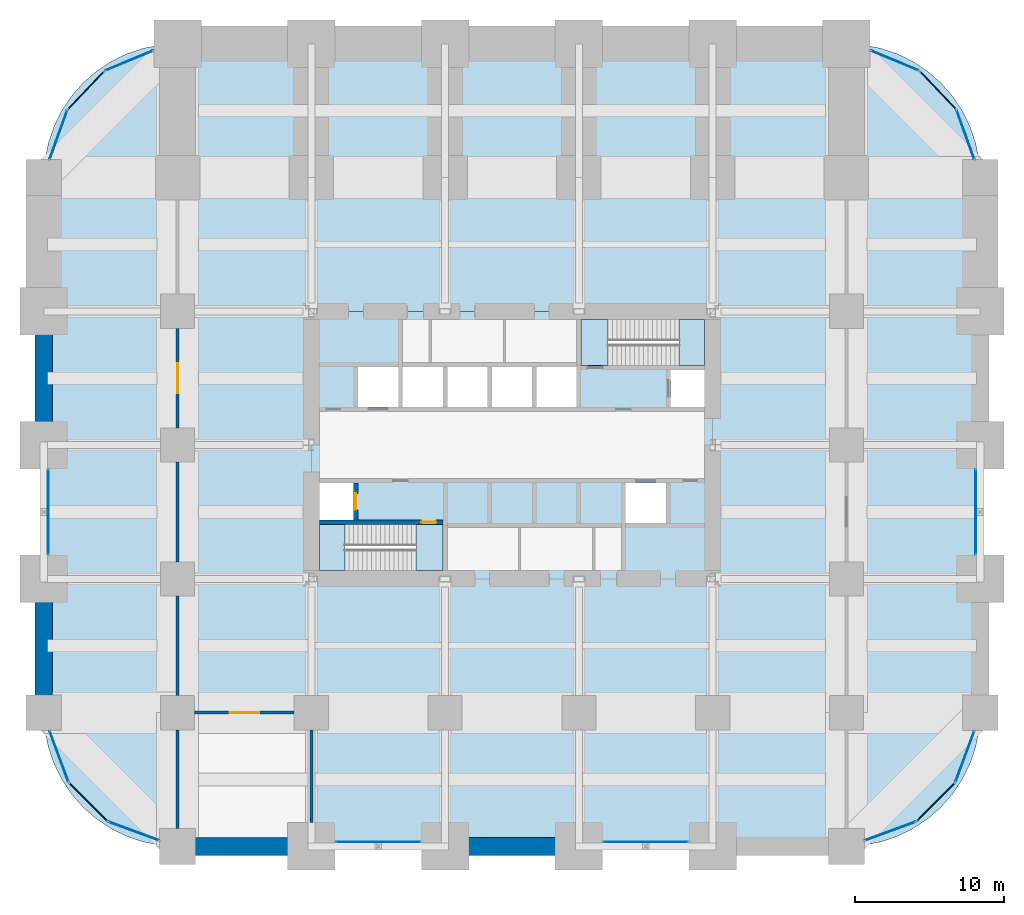
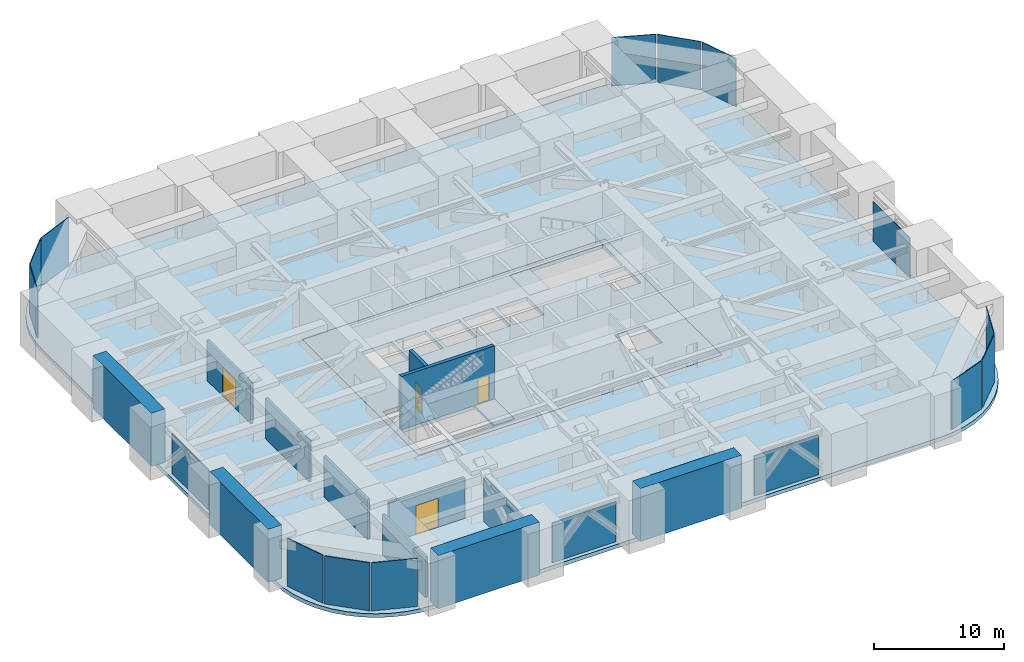
# One storey, part 32 of 35: 16 plates, 12 walls, 6 slabs, 4 doors, 4 openings, 18 elements without a shape of their own.
"""IFC4 building model written with IfcOpenShell, lengths in metres."""

from ifc_helpers import new_model, si_unit, direction, frame, frame_2d, origin, origin_2d, place, context, subcontext, project, spatial, polyline, rectangle, outline, extrude, material, layer, layer_set, type_object, element, fill, aggregate, save


model = new_model("IFC4")

# Units and contexts
model_context = context("Model", 3, precision=1e-05, world=origin(), true_north=direction((0.0, 1.0)))
body_context = subcontext(model_context, "Body", "Model", "MODEL_VIEW")
ifc_project = project(units=[si_unit("LENGTHUNIT", "METRE"), si_unit("AREAUNIT", "SQUARE_METRE"), si_unit("VOLUMEUNIT", "CUBIC_METRE"), si_unit("PLANEANGLEUNIT", "RADIAN"), si_unit("MASSUNIT", "GRAM", prefix="KILO")], contexts=[model_context])

# Site, building, storey
site_placement = place(None, origin())
site = spatial("IfcSite", under=ifc_project, at=site_placement, CompositionType="ELEMENT")
building_placement = place(site_placement, origin())
building = spatial("IfcBuilding", under=site, at=building_placement, Name="Zorevar Civic Tower", CompositionType="ELEMENT")
storey_placement = place(building_placement, frame((0.0, 0.0, 80.0)))
storey = spatial("IfcBuildingStorey", under=building, at=storey_placement, Name="L19", CompositionType="ELEMENT", Elevation=80.0)

# Curtain wall, plate
ifc_material_1 = material(Name="Black aluminium louvres", Category="aluminium")
curtain_wall_type = type_object("IfcCurtainWallType", Name="Louvred curtain wall CW6 refuge", PredefinedType="NOTDEFINED", material=ifc_material_1)
curtain_wall_1_placement = place(storey_placement, origin())
curtain_wall_1 = element("IfcCurtainWall", 1, at=curtain_wall_1_placement, inside=storey, type_object=curtain_wall_type, Name="CW6 L19", PredefinedType="NOTDEFINED")
ifc_material_2 = material(Name="Black aluminium louvre blades", Category="aluminium")
ifc_layer_1 = layer(ifc_material_2, 0.06005859375)
ifc_layer_set_1 = layer_set([ifc_layer_1], Name="CW6 panel 60")
plate_type = type_object("IfcPlateType", Name="CW6 panel 60", PredefinedType="CURTAIN_PANEL", material=ifc_layer_set_1)
plate_1_placement = place(storey_placement, frame((22.5, 0.300048828125, 0.06005859375), z_axis=(0.0, 0.0, 1.0), x_axis=(1.0, 0.0, 0.0)))
plate_1 = element("IfcPlate", 2, at=plate_1_placement, type_object=plate_type, Name="CW6 panel 1.1", PredefinedType="CURTAIN_PANEL", context=body_context, shape_type="SweptSolid", body=[
    extrude(rectangle(XDim=5.679931640625, YDim=0.06005859375, at=origin_2d()), origin(), (0.0, 0.0, 1.0), 3.739990234375),
])
aggregate(curtain_wall_1, [plate_1])

curtain_wall_2_placement = place(storey_placement, origin())
curtain_wall_2 = element("IfcCurtainWall", 3, at=curtain_wall_2_placement, inside=storey, type_object=curtain_wall_type, Name="CW6 L19", PredefinedType="NOTDEFINED")
plate_2_placement = place(storey_placement, frame((40.5, 0.300048828125, 0.06005859375), z_axis=(0.0, 0.0, 1.0), x_axis=(1.0, 0.0, 0.0)))
plate_2 = element("IfcPlate", 4, at=plate_2_placement, type_object=plate_type, Name="CW6 panel 1.1", PredefinedType="CURTAIN_PANEL", context=body_context, shape_type="SweptSolid", body=[
    extrude(rectangle(XDim=5.679931640625, YDim=0.06005859375, at=origin_2d()), origin(), (0.0, 0.0, 1.0), 3.739990234375),
])
aggregate(curtain_wall_2, [plate_2])

curtain_wall_3_placement = place(storey_placement, origin())
curtain_wall_3 = element("IfcCurtainWall", 5, at=curtain_wall_3_placement, inside=storey, type_object=curtain_wall_type, Name="CW6 L19", PredefinedType="NOTDEFINED")
plate_3_placement = place(storey_placement, frame((0.300048828125, 22.5, 0.06005859375), z_axis=(0.0, 0.0, 1.0), x_axis=(0.0, 1.0, 0.0)))
plate_3 = element("IfcPlate", 6, at=plate_3_placement, type_object=plate_type, Name="CW6 panel 1.1", PredefinedType="CURTAIN_PANEL", context=body_context, shape_type="SweptSolid", body=[
    extrude(rectangle(XDim=5.679931640625, YDim=0.06005859375, at=origin_2d()), origin(), (0.0, 0.0, 1.0), 3.739990234375),
])
aggregate(curtain_wall_3, [plate_3])

curtain_wall_4_placement = place(storey_placement, origin())
curtain_wall_4 = element("IfcCurtainWall", 7, at=curtain_wall_4_placement, inside=storey, type_object=curtain_wall_type, Name="CW6 L19", PredefinedType="NOTDEFINED")
plate_4_placement = place(storey_placement, frame((62.699951171875, 22.5, 0.06005859375), z_axis=(0.0, 0.0, 1.0), x_axis=(0.0, 1.0, 0.0)))
plate_4 = element("IfcPlate", 8, at=plate_4_placement, type_object=plate_type, Name="CW6 panel 1.1", PredefinedType="CURTAIN_PANEL", context=body_context, shape_type="SweptSolid", body=[
    extrude(rectangle(XDim=5.679931640625, YDim=0.06005859375, at=origin_2d()), origin(), (0.0, 0.0, 1.0), 3.739990234375),
])
aggregate(curtain_wall_4, [plate_4])

curtain_wall_5_placement = place(storey_placement, origin())
curtain_wall_5 = element("IfcCurtainWall", 9, at=curtain_wall_5_placement, inside=storey, type_object=curtain_wall_type, Name="CW6 L19", PredefinedType="NOTDEFINED")
plate_5_placement = place(storey_placement, frame((56.9462890625, 1.02880859375, 0.06005859375), z_axis=(0.0, 0.0, 1.0), x_axis=(0.937974588163, 0.346704012033, 0.0)))
plate_5 = element("IfcPlate", 10, at=plate_5_placement, type_object=plate_type, Name="CW6 panel 1.1", PredefinedType="CURTAIN_PANEL", context=body_context, shape_type="SweptSolid", body=[
    extrude(rectangle(XDim=3.603759765625, YDim=0.06005859375, at=origin_2d()), origin(), (0.0, 0.0, 1.0), 4.5400390625),
])
aggregate(curtain_wall_5, [plate_5])

curtain_wall_6_placement = place(storey_placement, origin())
curtain_wall_6 = element("IfcCurtainWall", 11, at=curtain_wall_6_placement, inside=storey, type_object=curtain_wall_type, Name="CW6 L19", PredefinedType="NOTDEFINED")
plate_6_placement = place(storey_placement, frame((60.00927734375, 2.99072265625, 0.06005859375), z_axis=(0.0, 0.0, 1.0), x_axis=(0.707106781187, 0.707106781187, 0.0)))
plate_6 = element("IfcPlate", 12, at=plate_6_placement, type_object=plate_type, Name="CW6 panel 1.1", PredefinedType="CURTAIN_PANEL", context=body_context, shape_type="SweptSolid", body=[
    extrude(rectangle(XDim=3.603759765625, YDim=0.06005859375, at=origin_2d()), origin(), (0.0, 0.0, 1.0), 4.5400390625),
])
aggregate(curtain_wall_6, [plate_6])

curtain_wall_7_placement = place(storey_placement, origin())
curtain_wall_7 = element("IfcCurtainWall", 13, at=curtain_wall_7_placement, inside=storey, type_object=curtain_wall_type, Name="CW6 L19", PredefinedType="NOTDEFINED")
plate_7_placement = place(storey_placement, frame((61.97119140625, 6.0537109375, 0.06005859375), z_axis=(0.0, 0.0, 1.0), x_axis=(0.346704012033, 0.937974588163, 0.0)))
plate_7 = element("IfcPlate", 14, at=plate_7_placement, type_object=plate_type, Name="CW6 panel 1.1", PredefinedType="CURTAIN_PANEL", context=body_context, shape_type="SweptSolid", body=[
    extrude(rectangle(XDim=3.603759765625, YDim=0.06005859375, at=origin_2d()), origin(), (0.0, 0.0, 1.0), 4.5400390625),
])
aggregate(curtain_wall_7, [plate_7])

curtain_wall_8_placement = place(storey_placement, origin())
curtain_wall_8 = element("IfcCurtainWall", 15, at=curtain_wall_8_placement, inside=storey, type_object=curtain_wall_type, Name="CW6 L19", PredefinedType="NOTDEFINED")
plate_8_placement = place(storey_placement, frame((62.00732421875, 47.88916015625, 0.06005859375), z_axis=(0.0, 0.0, 1.0), x_axis=(-0.339414723454, 0.940636829761, 0.0)))
plate_8 = element("IfcPlate", 16, at=plate_8_placement, type_object=plate_type, Name="CW6 panel 1.1", PredefinedType="CURTAIN_PANEL", context=body_context, shape_type="SweptSolid", body=[
    extrude(rectangle(XDim=3.4716796875, YDim=0.06005859375, at=origin_2d()), origin(), (0.0, 0.0, 1.0), 4.5400390625),
])
aggregate(curtain_wall_8, [plate_8])

curtain_wall_9_placement = place(storey_placement, origin())
curtain_wall_9 = element("IfcCurtainWall", 17, at=curtain_wall_9_placement, inside=storey, type_object=curtain_wall_type, Name="CW6 L19", PredefinedType="NOTDEFINED")
plate_9_placement = place(storey_placement, frame((60.157958984375, 50.87744140625, 0.06005859375), z_axis=(0.0, 0.0, 1.0), x_axis=(-0.690436894136, 0.723392628671, 0.0)))
plate_9 = element("IfcPlate", 18, at=plate_9_placement, type_object=plate_type, Name="CW6 panel 1.1", PredefinedType="CURTAIN_PANEL", context=body_context, shape_type="SweptSolid", body=[
    extrude(rectangle(XDim=3.4716796875, YDim=0.06005859375, at=origin_2d()), origin(), (0.0, 0.0, 1.0), 4.5400390625),
])
aggregate(curtain_wall_9, [plate_9])

curtain_wall_10_placement = place(storey_placement, origin())
curtain_wall_10 = element("IfcCurtainWall", 19, at=curtain_wall_10_placement, inside=storey, type_object=curtain_wall_type, Name="CW6 L19", PredefinedType="NOTDEFINED")
plate_10_placement = place(storey_placement, frame((57.259033203125, 52.864013671875, 0.06005859375), z_axis=(0.0, 0.0, 1.0), x_axis=(-0.92381416997, 0.382841193399, 0.0)))
plate_10 = element("IfcPlate", 20, at=plate_10_placement, type_object=plate_type, Name="CW6 panel 1.1", PredefinedType="CURTAIN_PANEL", context=body_context, shape_type="SweptSolid", body=[
    extrude(rectangle(XDim=3.4716796875, YDim=0.06005859375, at=origin_2d()), origin(), (0.0, 0.0, 1.0), 4.5400390625),
])
aggregate(curtain_wall_10, [plate_10])

curtain_wall_11_placement = place(storey_placement, origin())
curtain_wall_11 = element("IfcCurtainWall", 21, at=curtain_wall_11_placement, inside=storey, type_object=curtain_wall_type, Name="CW6 L19", PredefinedType="NOTDEFINED")
plate_11_placement = place(storey_placement, frame((5.740966796875, 52.864013671875, 0.06005859375), z_axis=(0.0, 0.0, 1.0), x_axis=(-0.92381416997, -0.382841193399, 0.0)))
plate_11 = element("IfcPlate", 22, at=plate_11_placement, type_object=plate_type, Name="CW6 panel 1.1", PredefinedType="CURTAIN_PANEL", context=body_context, shape_type="SweptSolid", body=[
    extrude(rectangle(XDim=3.4716796875, YDim=0.06005859375, at=origin_2d()), origin(), (0.0, 0.0, 1.0), 4.5400390625),
])
aggregate(curtain_wall_11, [plate_11])

curtain_wall_12_placement = place(storey_placement, origin())
curtain_wall_12 = element("IfcCurtainWall", 23, at=curtain_wall_12_placement, inside=storey, type_object=curtain_wall_type, Name="CW6 L19", PredefinedType="NOTDEFINED")
plate_12_placement = place(storey_placement, frame((2.842041015625, 50.87744140625, 0.06005859375), z_axis=(0.0, 0.0, 1.0), x_axis=(-0.690436894136, -0.723392628671, 0.0)))
plate_12 = element("IfcPlate", 24, at=plate_12_placement, type_object=plate_type, Name="CW6 panel 1.1", PredefinedType="CURTAIN_PANEL", context=body_context, shape_type="SweptSolid", body=[
    extrude(rectangle(XDim=3.4716796875, YDim=0.06005859375, at=origin_2d()), origin(), (0.0, 0.0, 1.0), 4.5400390625),
])
aggregate(curtain_wall_12, [plate_12])

curtain_wall_13_placement = place(storey_placement, origin())
curtain_wall_13 = element("IfcCurtainWall", 25, at=curtain_wall_13_placement, inside=storey, type_object=curtain_wall_type, Name="CW6 L19", PredefinedType="NOTDEFINED")
plate_13_placement = place(storey_placement, frame((0.99267578125, 47.88916015625, 0.06005859375), z_axis=(0.0, 0.0, 1.0), x_axis=(-0.339414723454, -0.940636829761, 0.0)))
plate_13 = element("IfcPlate", 26, at=plate_13_placement, type_object=plate_type, Name="CW6 panel 1.1", PredefinedType="CURTAIN_PANEL", context=body_context, shape_type="SweptSolid", body=[
    extrude(rectangle(XDim=3.4716796875, YDim=0.06005859375, at=origin_2d()), origin(), (0.0, 0.0, 1.0), 4.5400390625),
])
aggregate(curtain_wall_13, [plate_13])

curtain_wall_14_placement = place(storey_placement, origin())
curtain_wall_14 = element("IfcCurtainWall", 27, at=curtain_wall_14_placement, inside=storey, type_object=curtain_wall_type, Name="CW6 L19", PredefinedType="NOTDEFINED")
plate_14_placement = place(storey_placement, frame((1.02880859375, 6.0537109375, 0.06005859375), z_axis=(0.0, 0.0, 1.0), x_axis=(0.346704012033, -0.937974588163, 0.0)))
plate_14 = element("IfcPlate", 28, at=plate_14_placement, type_object=plate_type, Name="CW6 panel 1.1", PredefinedType="CURTAIN_PANEL", context=body_context, shape_type="SweptSolid", body=[
    extrude(rectangle(XDim=3.603759765625, YDim=0.06005859375, at=origin_2d()), origin(), (0.0, 0.0, 1.0), 4.5400390625),
])
aggregate(curtain_wall_14, [plate_14])

curtain_wall_15_placement = place(storey_placement, origin())
curtain_wall_15 = element("IfcCurtainWall", 29, at=curtain_wall_15_placement, inside=storey, type_object=curtain_wall_type, Name="CW6 L19", PredefinedType="NOTDEFINED")
plate_15_placement = place(storey_placement, frame((2.99072265625, 2.99072265625, 0.06005859375), z_axis=(0.0, 0.0, 1.0), x_axis=(0.707106781187, -0.707106781187, 0.0)))
plate_15 = element("IfcPlate", 30, at=plate_15_placement, type_object=plate_type, Name="CW6 panel 1.1", PredefinedType="CURTAIN_PANEL", context=body_context, shape_type="SweptSolid", body=[
    extrude(rectangle(XDim=3.603759765625, YDim=0.06005859375, at=origin_2d()), origin(), (0.0, 0.0, 1.0), 4.5400390625),
])
aggregate(curtain_wall_15, [plate_15])

curtain_wall_16_placement = place(storey_placement, origin())
curtain_wall_16 = element("IfcCurtainWall", 31, at=curtain_wall_16_placement, inside=storey, type_object=curtain_wall_type, Name="CW6 L19", PredefinedType="NOTDEFINED")
plate_16_placement = place(storey_placement, frame((6.0537109375, 1.02880859375, 0.06005859375), z_axis=(0.0, 0.0, 1.0), x_axis=(0.937974588163, -0.346704012033, 0.0)))
plate_16 = element("IfcPlate", 32, at=plate_16_placement, type_object=plate_type, Name="CW6 panel 1.1", PredefinedType="CURTAIN_PANEL", context=body_context, shape_type="SweptSolid", body=[
    extrude(rectangle(XDim=3.603759765625, YDim=0.06005859375, at=origin_2d()), origin(), (0.0, 0.0, 1.0), 4.5400390625),
])
aggregate(curtain_wall_16, [plate_16])

# Slabs
ifc_material_3 = material(Name="Concrete C40/50", Category="concrete")
ifc_layer_2 = layer(ifc_material_3, 0.35009765625)
ifc_layer_set_2 = layer_set([ifc_layer_2], Name="Floor slab 350")
slab_type_1 = type_object("IfcSlabType", Name="Floor slab 350", PredefinedType="FLOOR", material=ifc_layer_set_2)
slab_1_placement = place(storey_placement, frame((0.0, 0.0, -0.35009765625)))
element("IfcSlab", 33, at=slab_1_placement, inside=storey, type_object=slab_type_1, Name="Floor slab L19", PredefinedType="FLOOR", context=body_context, shape_type="SweptSolid", body=[
    extrude(outline(polyline([(54.0, 0.0), (55.1748046875, 0.076904296875), (56.329345703125, 0.306640625), (57.444091796875, 0.68505859375), (58.5, 1.205810546875), (59.478759765625, 1.85986328125), (60.364013671875, 2.635986328125), (61.14013671875, 3.521240234375), (61.794189453125, 4.5), (62.31494140625, 5.555908203125), (62.693359375, 6.670654296875), (62.923095703125, 7.8251953125), (63.0, 9.0), (63.0, 45.0), (62.923095703125, 46.1748046875), (62.693359375, 47.329345703125), (62.31494140625, 48.444091796875), (61.794189453125, 49.5), (61.14013671875, 50.478759765625), (60.364013671875, 51.364013671875), (59.478759765625, 52.14013671875), (58.5, 52.794189453125), (57.444091796875, 53.31494140625), (56.329345703125, 53.693359375), (55.1748046875, 53.923095703125), (54.0, 54.0), (9.0, 54.0), (7.8251953125, 53.923095703125), (6.670654296875, 53.693359375), (5.555908203125, 53.31494140625), (4.5, 52.794189453125), (3.521240234375, 52.14013671875), (2.635986328125, 51.364013671875), (1.85986328125, 50.478759765625), (1.205810546875, 49.5), (0.68505859375, 48.444091796875), (0.306640625, 47.329345703125), (0.076904296875, 46.1748046875), (0.0, 45.0), (0.0, 9.0), (0.076904296875, 7.8251953125), (0.306640625, 6.670654296875), (0.68505859375, 5.555908203125), (1.205810546875, 4.5), (1.85986328125, 3.521240234375), (2.635986328125, 2.635986328125), (3.521240234375, 1.85986328125), (4.5, 1.205810546875), (5.555908203125, 0.68505859375), (6.670654296875, 0.306640625), (7.8251953125, 0.076904296875), (9.0, 0.0), (54.0, 0.0)]), holes=[polyline([(18.0, 18.0), (45.0, 18.0), (45.0, 36.0), (18.0, 36.0), (18.0, 18.0)])]), origin(), (0.0, 0.0, 1.0), 0.35009765625),
])
slab_2_placement = place(storey_placement, frame((0.0, 0.0, -0.35009765625)))
element("IfcSlab", 34, at=slab_2_placement, inside=storey, type_object=slab_type_1, Name="Core floor L19", PredefinedType="FLOOR", context=body_context, shape_type="SweptSolid", body=[
    extrude(outline(polyline([(18.0, 18.0), (45.0, 18.0), (45.0, 36.0), (18.0, 36.0), (18.0, 18.0)]), holes=[polyline([(18.550048828125, 18.550048828125), (26.85009765625, 18.550048828125), (26.85009765625, 21.64990234375), (18.550048828125, 21.64990234375), (18.550048828125, 18.550048828125)]), polyline([(36.14990234375, 32.35009765625), (44.449951171875, 32.35009765625), (44.449951171875, 35.449951171875), (36.14990234375, 35.449951171875), (36.14990234375, 32.35009765625)]), polyline([(18.550048828125, 21.949951171875), (20.85009765625, 21.949951171875), (20.85009765625, 24.449951171875), (18.550048828125, 24.449951171875), (18.550048828125, 21.949951171875)]), polyline([(42.14990234375, 29.550048828125), (44.449951171875, 29.550048828125), (44.449951171875, 32.050048828125), (42.14990234375, 32.050048828125), (42.14990234375, 29.550048828125)]), polyline([(33.14990234375, 29.550048828125), (35.85009765625, 29.550048828125), (35.85009765625, 32.25), (33.14990234375, 32.25), (33.14990234375, 29.550048828125)]), polyline([(30.14990234375, 29.550048828125), (32.85009765625, 29.550048828125), (32.85009765625, 32.25), (30.14990234375, 32.25), (30.14990234375, 29.550048828125)]), polyline([(27.14990234375, 29.550048828125), (29.85009765625, 29.550048828125), (29.85009765625, 32.25), (27.14990234375, 32.25), (27.14990234375, 29.550048828125)]), polyline([(24.14990234375, 29.550048828125), (26.85009765625, 29.550048828125), (26.85009765625, 32.25), (24.14990234375, 32.25), (24.14990234375, 29.550048828125)]), polyline([(39.14990234375, 21.75), (41.85009765625, 21.75), (41.85009765625, 24.449951171875), (39.14990234375, 24.449951171875), (39.14990234375, 21.75)]), polyline([(21.14990234375, 29.550048828125), (23.85009765625, 29.550048828125), (23.85009765625, 32.25), (21.14990234375, 32.25), (21.14990234375, 29.550048828125)])]), origin(), (0.0, 0.0, 1.0), 0.35009765625),
])

# Stair, slabs
ifc_material_4 = material(Name="Precast concrete C40/50", Category="concrete")
stair_type = type_object("IfcStairType", Name="Stair ST 34R", PredefinedType="HALF_TURN_STAIR", material=ifc_material_4)
stair_1_placement = place(storey_placement, origin())
stair_1 = element("IfcStair", 35, at=stair_1_placement, inside=storey, type_object=stair_type, Name="Stair ST1 L19", PredefinedType="HALF_TURN_STAIR")
ifc_material_5 = material(Name="Concrete C40/50", Category="concrete")
ifc_layer_3 = layer(ifc_material_5, 0.199951171875)
ifc_layer_set_3 = layer_set([ifc_layer_3], Name="Stair landing 200")
slab_type_2 = type_object("IfcSlabType", Name="Stair landing 200", PredefinedType="LANDING", material=ifc_layer_set_3)
slab_3_placement = place(storey_placement, frame((0.0, 0.0, -0.199951171875)))
slab_3 = element("IfcSlab", 36, at=slab_3_placement, type_object=slab_type_2, Name="ST1 landing 1", PredefinedType="LANDING", context=body_context, shape_type="SweptSolid", body=[
    extrude(outline(polyline([(25.050048828125, 18.550048828125), (26.85009765625, 18.550048828125), (26.85009765625, 21.64990234375), (25.050048828125, 21.64990234375), (25.050048828125, 18.550048828125)])), origin(), (0.0, 0.0, 1.0), 0.199951171875),
])
slab_4_placement = place(storey_placement, frame((0.0, 0.0, 2.300048828125)))
slab_4 = element("IfcSlab", 37, at=slab_4_placement, type_object=slab_type_2, Name="ST1 landing 2", PredefinedType="LANDING", context=body_context, shape_type="SweptSolid", body=[
    extrude(outline(polyline([(18.550048828125, 18.550048828125), (20.25, 18.550048828125), (20.25, 21.64990234375), (18.550048828125, 21.64990234375), (18.550048828125, 18.550048828125)])), origin(), (0.0, 0.0, 1.0), 0.199951171875),
])
aggregate(stair_1, [slab_3, slab_4])

stair_2_placement = place(storey_placement, origin())
stair_2 = element("IfcStair", 38, at=stair_2_placement, inside=storey, type_object=stair_type, Name="Stair ST2 L19", PredefinedType="HALF_TURN_STAIR")
slab_5_placement = place(storey_placement, frame((0.0, 0.0, -0.199951171875)))
slab_5 = element("IfcSlab", 39, at=slab_5_placement, type_object=slab_type_2, Name="ST2 landing 1", PredefinedType="LANDING", context=body_context, shape_type="SweptSolid", body=[
    extrude(outline(polyline([(37.949951171875, 32.35009765625), (36.14990234375, 32.35009765625), (36.14990234375, 35.449951171875), (37.949951171875, 35.449951171875), (37.949951171875, 32.35009765625)])), origin(), (0.0, 0.0, 1.0), 0.199951171875),
])
slab_6_placement = place(storey_placement, frame((0.0, 0.0, 2.300048828125)))
slab_6 = element("IfcSlab", 40, at=slab_6_placement, type_object=slab_type_2, Name="ST2 landing 2", PredefinedType="LANDING", context=body_context, shape_type="SweptSolid", body=[
    extrude(outline(polyline([(44.449951171875, 32.35009765625), (42.75, 32.35009765625), (42.75, 35.449951171875), (44.449951171875, 35.449951171875), (44.449951171875, 32.35009765625)])), origin(), (0.0, 0.0, 1.0), 0.199951171875),
])
aggregate(stair_2, [slab_5, slab_6])

# Walls
ifc_material_6 = material(Name="Concrete C50/60", Category="concrete")
ifc_layer_4 = layer(ifc_material_6, 1.199951171875)
ifc_layer_set_4 = layer_set([ifc_layer_4], Name="Belt wall 1200")
wall_type_1 = type_object("IfcWallType", Name="Belt wall 1200", PredefinedType="SHEAR", material=ifc_layer_set_4)
for number, where, z_axis, x_axis, name in (
    (41, (9.0, 0.0, 0.0), (0.0, 0.0, 1.0), (1.0, 0.0, 0.0), "Belt wall S L19"),
    (42, (27.0, 0.0, 0.0), (0.0, 0.0, 1.0), (1.0, 0.0, 0.0), "Belt wall S L19"),
    (43, (0.0, 9.0, 0.0), (0.0, 0.0, 1.0), (0.0, 1.0, 0.0), "Belt wall W L19"),
    (44, (0.0, 27.0, 0.0), (0.0, 0.0, 1.0), (0.0, 1.0, 0.0), "Belt wall W L19"),
):
    element("IfcWall", number, at=place(storey_placement, frame(where, z_axis=z_axis, x_axis=x_axis)), inside=storey, type_object=wall_type_1, Name=name, PredefinedType="SHEAR", context=body_context, shape_type="SweptSolid", body=[
        extrude(rectangle(XDim=9.0, YDim=1.199951171875, at=frame_2d((4.5, 0.0))), origin(), (0.0, 0.0, 1.0), 5.0),
    ])
ifc_material_7 = material(Name="Concrete blockwork", Category="masonry")
ifc_layer_5 = layer(ifc_material_7, 0.199951171875)
ifc_layer_set_5 = layer_set([ifc_layer_5], Name="Blockwork wall 200")
wall_type_2 = type_object("IfcWallType", Name="Blockwork wall 200", PredefinedType="SOLIDWALL", material=ifc_layer_set_5)
wall_1_placement = place(storey_placement, frame((9.0, 1.199951171875, 0.0), z_axis=(0.0, 0.0, 1.0), x_axis=(0.0, 1.0, 0.0)))
element("IfcWall", 45, at=wall_1_placement, inside=storey, type_object=wall_type_2, Name="Blockwork wall 200 L19", PredefinedType="SOLIDWALL", context=body_context, shape_type="SweptSolid", body=[
    extrude(rectangle(XDim=6.650146484375, YDim=0.199951171875, at=frame_2d((3.3251953125, 0.0))), origin(), (0.0, 0.0, 1.0), 3.800048828125),
])
for number, where, z_axis, x_axis, name in (
    (46, (9.0, 10.14990234375, 0.0), (0.0, 0.0, 1.0), (0.0, 1.0, 0.0), "Blockwork wall 200 L19"),
    (47, (9.0, 19.14990234375, 0.0), (0.0, 0.0, 1.0), (0.0, 1.0, 0.0), "Blockwork wall 200 L19"),
):
    element("IfcWall", number, at=place(storey_placement, frame(where, z_axis=z_axis, x_axis=x_axis)), inside=storey, type_object=wall_type_2, Name=name, PredefinedType="SOLIDWALL", context=body_context, shape_type="SweptSolid", body=[
        extrude(rectangle(XDim=6.7001953125, YDim=0.199951171875, at=frame_2d((3.35009765625, 0.0))), origin(), (0.0, 0.0, 1.0), 3.800048828125),
    ])

# Wall, opening, door
wall_2_placement = place(storey_placement, frame((9.0, 28.14990234375, 0.0), z_axis=(0.0, 0.0, 1.0), x_axis=(0.0, 1.0, 0.0)))
wall_2 = element("IfcWall", 48, at=wall_2_placement, inside=storey, type_object=wall_type_2, Name="Blockwork wall 200 L19", PredefinedType="SOLIDWALL", context=body_context, shape_type="SweptSolid", body=[
    extrude(rectangle(XDim=6.7001953125, YDim=0.199951171875, at=frame_2d((3.35009765625, 0.0))), origin(), (0.0, 0.0, 1.0), 3.800048828125),
])
opening_1_placement = place(wall_2_placement, frame((2.35009765625, 0.0, 0.0)))
opening_1 = element("IfcOpeningElement", 49, at=opening_1_placement, cuts=wall_2, Name="Opening L19.17", PredefinedType="OPENING", context=body_context, shape_type="SweptSolid", body=[
    extrude(rectangle(XDim=2.0, YDim=2.699951171875, at=frame_2d((1.0, 1.35009765625))), frame((0.0, 0.10986328125, 0.0), z_axis=(0.0, -1.0, 0.0), x_axis=(1.0, 0.0, 0.0)), (0.0, 0.0, 1.0), 0.219970703125),
])
ifc_material_8 = material(Name="Steel door set", Category="steel")
door_type_1 = type_object("IfcDoorType", Name="Plant room door PD1 2000x2700", OperationType="DOUBLE_DOOR_SINGLE_SWING", PredefinedType="DOOR", material=ifc_material_8)
door_1_placement = place(opening_1_placement, origin())
door_1 = element("IfcDoor", 50, at=door_1_placement, inside=storey, type_object=door_type_1, Name="Door L19 D0", OperationType="DOUBLE_DOOR_SINGLE_SWING", OverallHeight=2.699951171875, OverallWidth=2.0, PredefinedType="DOOR", context=body_context, shape_type="SweptSolid", body=[
    extrude(rectangle(XDim=2.0, YDim=2.699951171875, at=frame_2d((1.0, 1.35009765625))), frame((0.0, 0.030029296875, 0.0), z_axis=(0.0, -1.0, 0.0), x_axis=(1.0, 0.0, 0.0)), (0.0, 0.0, 1.0), 0.06005859375),
])
fill(opening_1, door_1)

# Wall
wall_3_placement = place(storey_placement, frame((18.0, 1.60009765625, 0.0), z_axis=(0.0, 0.0, 1.0), x_axis=(0.0, 1.0, 0.0)))
element("IfcWall", 51, at=wall_3_placement, inside=storey, type_object=wall_type_2, Name="Blockwork wall 200 L19", PredefinedType="SOLIDWALL", context=body_context, shape_type="SweptSolid", body=[
    extrude(rectangle(XDim=6.25, YDim=0.199951171875, at=frame_2d((3.125, 0.0))), origin(), (0.0, 0.0, 1.0), 4.0),
])

# Wall, opening, door
wall_4_placement = place(storey_placement, frame((10.14990234375, 9.0, 0.0), z_axis=(0.0, 0.0, 1.0), x_axis=(1.0, 0.0, 0.0)))
wall_4 = element("IfcWall", 52, at=wall_4_placement, inside=storey, type_object=wall_type_2, Name="Blockwork wall 200 L19", PredefinedType="SOLIDWALL", context=body_context, shape_type="SweptSolid", body=[
    extrude(rectangle(XDim=6.7001953125, YDim=0.199951171875, at=frame_2d((3.35009765625, 0.0))), origin(), (0.0, 0.0, 1.0), 3.800048828125),
])
opening_2_placement = place(wall_4_placement, frame((2.35009765625, 0.0, 0.0)))
opening_2 = element("IfcOpeningElement", 53, at=opening_2_placement, cuts=wall_4, Name="Opening L19.19", PredefinedType="OPENING", context=body_context, shape_type="SweptSolid", body=[
    extrude(rectangle(XDim=2.0, YDim=2.699951171875, at=frame_2d((1.0, 1.35009765625))), frame((0.0, 0.10986328125, 0.0), z_axis=(0.0, -1.0, 0.0), x_axis=(1.0, 0.0, 0.0)), (0.0, 0.0, 1.0), 0.219970703125),
])
door_2_placement = place(opening_2_placement, origin())
door_2 = element("IfcDoor", 54, at=door_2_placement, inside=storey, type_object=door_type_1, Name="Door L19 D9", OperationType="DOUBLE_DOOR_SINGLE_SWING", OverallHeight=2.699951171875, OverallWidth=2.0, PredefinedType="DOOR", context=body_context, shape_type="SweptSolid", body=[
    extrude(rectangle(XDim=2.0, YDim=2.699951171875, at=frame_2d((1.0, 1.35009765625))), frame((0.0, 0.030029296875, 0.0), z_axis=(0.0, -1.0, 0.0), x_axis=(1.0, 0.0, 0.0)), (0.0, 0.0, 1.0), 0.06005859375),
])
fill(opening_2, door_2)

ifc_material_9 = material(Name="Concrete C40/50", Category="concrete")
ifc_layer_6 = layer(ifc_material_9, 0.300048828125)
ifc_layer_set_6 = layer_set([ifc_layer_6], Name="Inner core wall 300")
wall_type_3 = type_object("IfcWallType", Name="Inner core wall 300", PredefinedType="SHEAR", material=ifc_layer_set_6)
wall_5_placement = place(storey_placement, frame((18.550048828125, 21.800048828125, 0.0), z_axis=(0.0, 0.0, 1.0), x_axis=(1.0, 0.0, 0.0)))
wall_5 = element("IfcWall", 55, at=wall_5_placement, inside=storey, type_object=wall_type_3, Name="Inner core wall S00 L19", PredefinedType="SHEAR", context=body_context, shape_type="SweptSolid", body=[
    extrude(rectangle(XDim=8.300048828125, YDim=0.300048828125, at=frame_2d((4.14990234375, 0.0))), origin(), (0.0, 0.0, 1.0), 5.0),
])
opening_3_placement = place(wall_5_placement, frame((6.85009765625, 0.0, 0.0)))
opening_3 = element("IfcOpeningElement", 56, at=opening_3_placement, cuts=wall_5, Name="Opening L19.11", PredefinedType="OPENING", context=body_context, shape_type="SweptSolid", body=[
    extrude(rectangle(XDim=1.0, YDim=2.39990234375, at=frame_2d((0.5, 1.199951171875))), frame((0.0, 0.159912109375, 0.0), z_axis=(0.0, -1.0, 0.0), x_axis=(1.0, 0.0, 0.0)), (0.0, 0.0, 1.0), 0.320068359375),
])
ifc_material_10 = material(Name="Steel door set", Category="steel")
door_type_2 = type_object("IfcDoorType", Name="Fire door FD1 1000x2400", OperationType="SINGLE_SWING_LEFT", PredefinedType="DOOR", material=ifc_material_10)
door_3_placement = place(opening_3_placement, origin())
door_3 = element("IfcDoor", 57, at=door_3_placement, inside=storey, type_object=door_type_2, Name="Door L19 10", OperationType="SINGLE_SWING_RIGHT", OverallHeight=2.39990234375, OverallWidth=1.0, PredefinedType="DOOR", context=body_context, shape_type="SweptSolid", body=[
    extrude(rectangle(XDim=1.0, YDim=2.39990234375, at=frame_2d((0.5, 1.199951171875))), frame((0.0, 0.030029296875, 0.0), z_axis=(0.0, -1.0, 0.0), x_axis=(1.0, 0.0, 0.0)), (0.0, 0.0, 1.0), 0.06005859375),
])
fill(opening_3, door_3)

wall_6_placement = place(storey_placement, frame((21.0, 21.949951171875, 0.0), z_axis=(0.0, 0.0, 1.0), x_axis=(0.0, 1.0, 0.0)))
wall_6 = element("IfcWall", 58, at=wall_6_placement, inside=storey, type_object=wall_type_3, Name="Inner core wall S02 L19", PredefinedType="SHEAR", context=body_context, shape_type="SweptSolid", body=[
    extrude(rectangle(XDim=2.5, YDim=0.300048828125, at=frame_2d((1.25, 0.0))), origin(), (0.0, 0.0, 1.0), 5.0),
])
opening_4_placement = place(wall_6_placement, frame((0.699951171875, 0.0, 0.0)))
opening_4 = element("IfcOpeningElement", 59, at=opening_4_placement, cuts=wall_6, Name="Opening L19.FL1", PredefinedType="OPENING", context=body_context, shape_type="SweptSolid", body=[
    extrude(rectangle(XDim=1.10009765625, YDim=2.39990234375, at=frame_2d((0.550048828125, 1.199951171875))), frame((0.0, 0.159912109375, 0.0), z_axis=(0.0, -1.0, 0.0), x_axis=(1.0, 0.0, 0.0)), (0.0, 0.0, 1.0), 0.320068359375),
])
ifc_material_11 = material(Name="Steel door set", Category="steel")
door_type_3 = type_object("IfcDoorType", Name="Firefighting lift landing door LD3 1100x2400", OperationType="DOUBLE_DOOR_SLIDING", PredefinedType="DOOR", material=ifc_material_11)
door_4_placement = place(opening_4_placement, origin())
door_4 = element("IfcDoor", 60, at=door_4_placement, inside=storey, type_object=door_type_3, Name="Landing door FL1 L19", OperationType="DOUBLE_DOOR_SLIDING", OverallHeight=2.39990234375, OverallWidth=1.10009765625, PredefinedType="DOOR", context=body_context, shape_type="SweptSolid", body=[
    extrude(rectangle(XDim=1.10009765625, YDim=2.39990234375, at=frame_2d((0.550048828125, 1.199951171875))), frame((0.0, 0.030029296875, 0.0), z_axis=(0.0, -1.0, 0.0), x_axis=(1.0, 0.0, 0.0)), (0.0, 0.0, 1.0), 0.06005859375),
])
fill(opening_4, door_4)

save(model, "model.ifc")
